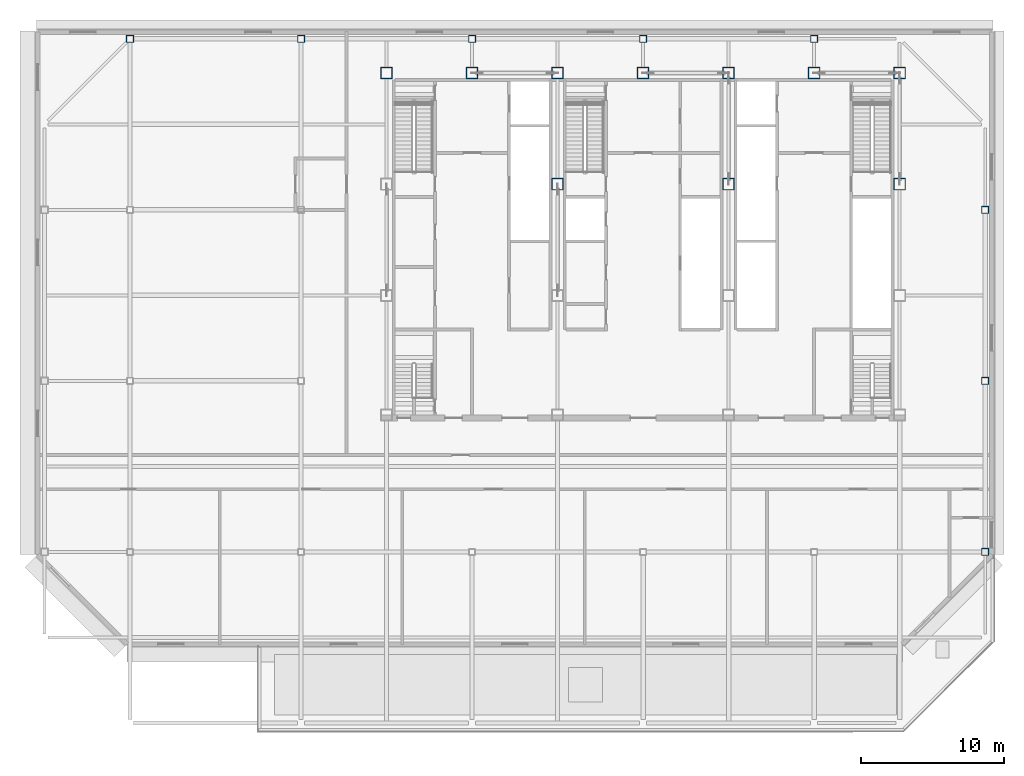
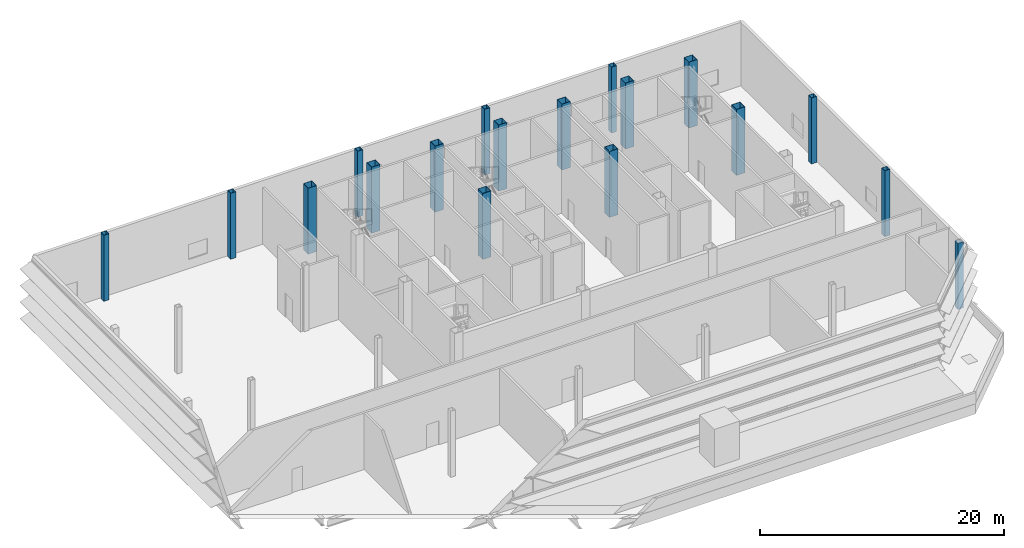
# One storey, part 2 of 14: 18 columns.
"""IFC4 building model written with IfcOpenShell, lengths in metres."""

from ifc_helpers import new_model, si_unit, direction, frame, origin, origin_2d, place, context, subcontext, project, spatial, hollow_rectangle, extrude, material, material_profile, profile_set, type_object, element, save


model = new_model("IFC4")

# Units and contexts
model_context = context("Model", 3, precision=1e-05, world=origin(), true_north=direction((0.0, 1.0)))
body_context = subcontext(model_context, "Body", "Model", "MODEL_VIEW")
ifc_project = project(units=[si_unit("LENGTHUNIT", "METRE"), si_unit("AREAUNIT", "SQUARE_METRE"), si_unit("VOLUMEUNIT", "CUBIC_METRE"), si_unit("PLANEANGLEUNIT", "RADIAN"), si_unit("MASSUNIT", "GRAM", prefix="KILO")], contexts=[model_context])

# Site, building, storey
site_placement = place(None, origin())
site = spatial("IfcSite", under=ifc_project, at=site_placement, CompositionType="ELEMENT")
building_placement = place(site_placement, origin())
building = spatial("IfcBuilding", under=site, at=building_placement, Name="Sorahane Residences", CompositionType="ELEMENT")
storey_placement = place(building_placement, frame((0.0, 0.0, 331.199951171875)))
storey = spatial("IfcBuildingStorey", under=building, at=storey_placement, Name="L79", CompositionType="ELEMENT", Elevation=331.199951171875)

# Columns
ifc_material_1 = material(Name="Steel Q355B", Category="steel")
ifc_material_profile_1 = material_profile(ifc_material_1, hollow_rectangle(XDim=0.5, YDim=0.5, WallThickness=0.02490234375, at=origin_2d()), Name="BOX 500x500x25")
ifc_profile_set_1 = profile_set([ifc_material_profile_1], Name="Steel Q355B")
column_type_1 = type_object("IfcColumnType", Name="Steel box column BOX 500x500x25 Q355B", PredefinedType="COLUMN", material=ifc_profile_set_1)
for number, where, z_axis, x_axis, name in (
    (1, (-12.0, 48.0, 0.0), (0.0, 0.0, 1.0), (1.0, 0.0, 0.0), "Column L79 m12/48"),
    (2, (0.0, 48.0, 0.0), (0.0, 0.0, 1.0), (1.0, 0.0, 0.0), "Column L79 0/48"),
    (3, (12.0, 48.0, 0.0), (0.0, 0.0, 1.0), (1.0, 0.0, 0.0), "Column L79 12/48"),
    (4, (24.0, 48.0, 0.0), (0.0, 0.0, 1.0), (1.0, 0.0, 0.0), "Column L79 24/48"),
    (5, (36.0, 48.0, 0.0), (0.0, 0.0, 1.0), (1.0, 0.0, 0.0), "Column L79 36/48"),
    (6, (48.0, 12.0, 0.0), (0.0, 0.0, 1.0), (1.0, 0.0, 0.0), "Column L79 48/12"),
    (7, (48.0, 24.0, 0.0), (0.0, 0.0, 1.0), (1.0, 0.0, 0.0), "Column L79 48/24"),
    (8, (48.0, 36.0, 0.0), (0.0, 0.0, 1.0), (1.0, 0.0, 0.0), "Column L79 48/36"),
):
    element("IfcColumn", number, at=place(storey_placement, frame(where, z_axis=z_axis, x_axis=x_axis)), inside=storey, type_object=column_type_1, Name=name, PredefinedType="COLUMN", context=body_context, shape_type="SweptSolid", body=[
        extrude(hollow_rectangle(XDim=0.5, YDim=0.5, WallThickness=0.02490234375, at=origin_2d()), origin(), (0.0, 0.0, 1.0), 6.60009765625),
    ])
ifc_material_2 = material(Name="Steel Q355B", Category="steel")
ifc_material_profile_2 = material_profile(ifc_material_2, hollow_rectangle(XDim=0.800048828125, YDim=0.800048828125, WallThickness=0.02490234375, at=origin_2d()), Name="BOX 800x800x25")
ifc_profile_set_2 = profile_set([ifc_material_profile_2], Name="Steel Q355B")
column_type_2 = type_object("IfcColumnType", Name="Steel box column BOX 800x800x25 Q355B", PredefinedType="COLUMN", material=ifc_profile_set_2)
for number, where, z_axis, x_axis, name in (
    (9, (6.0, 45.60009765625, 0.0), (0.0, 0.0, 1.0), (1.0, 0.0, 0.0), "Column L79 6/45.6"),
    (10, (12.0, 45.60009765625, 0.0), (0.0, 0.0, 1.0), (1.0, 0.0, 0.0), "Column L79 12/45.6"),
    (11, (18.0, 37.800048828125, 0.0), (0.0, 0.0, 1.0), (1.0, 0.0, 0.0), "Column L79 18/37.8"),
    (12, (18.0, 45.60009765625, 0.0), (0.0, 0.0, 1.0), (1.0, 0.0, 0.0), "Column L79 18/45.6"),
    (13, (24.0, 45.60009765625, 0.0), (0.0, 0.0, 1.0), (1.0, 0.0, 0.0), "Column L79 24/45.6"),
    (14, (30.0, 37.800048828125, 0.0), (0.0, 0.0, 1.0), (1.0, 0.0, 0.0), "Column L79 30/37.8"),
    (15, (30.0, 45.60009765625, 0.0), (0.0, 0.0, 1.0), (1.0, 0.0, 0.0), "Column L79 30/45.6"),
    (16, (36.0, 45.60009765625, 0.0), (0.0, 0.0, 1.0), (1.0, 0.0, 0.0), "Column L79 36/45.6"),
    (17, (42.0, 37.800048828125, 0.0), (0.0, 0.0, 1.0), (1.0, 0.0, 0.0), "Column L79 42/37.8"),
    (18, (42.0, 45.60009765625, 0.0), (0.0, 0.0, 1.0), (1.0, 0.0, 0.0), "Column L79 42/45.6"),
):
    element("IfcColumn", number, at=place(storey_placement, frame(where, z_axis=z_axis, x_axis=x_axis)), inside=storey, type_object=column_type_2, Name=name, PredefinedType="COLUMN", context=body_context, shape_type="SweptSolid", body=[
        extrude(hollow_rectangle(XDim=0.800048828125, YDim=0.800048828125, WallThickness=0.02490234375, at=origin_2d()), origin(), (0.0, 0.0, 1.0), 6.60009765625),
    ])

save(model, "model.ifc")
